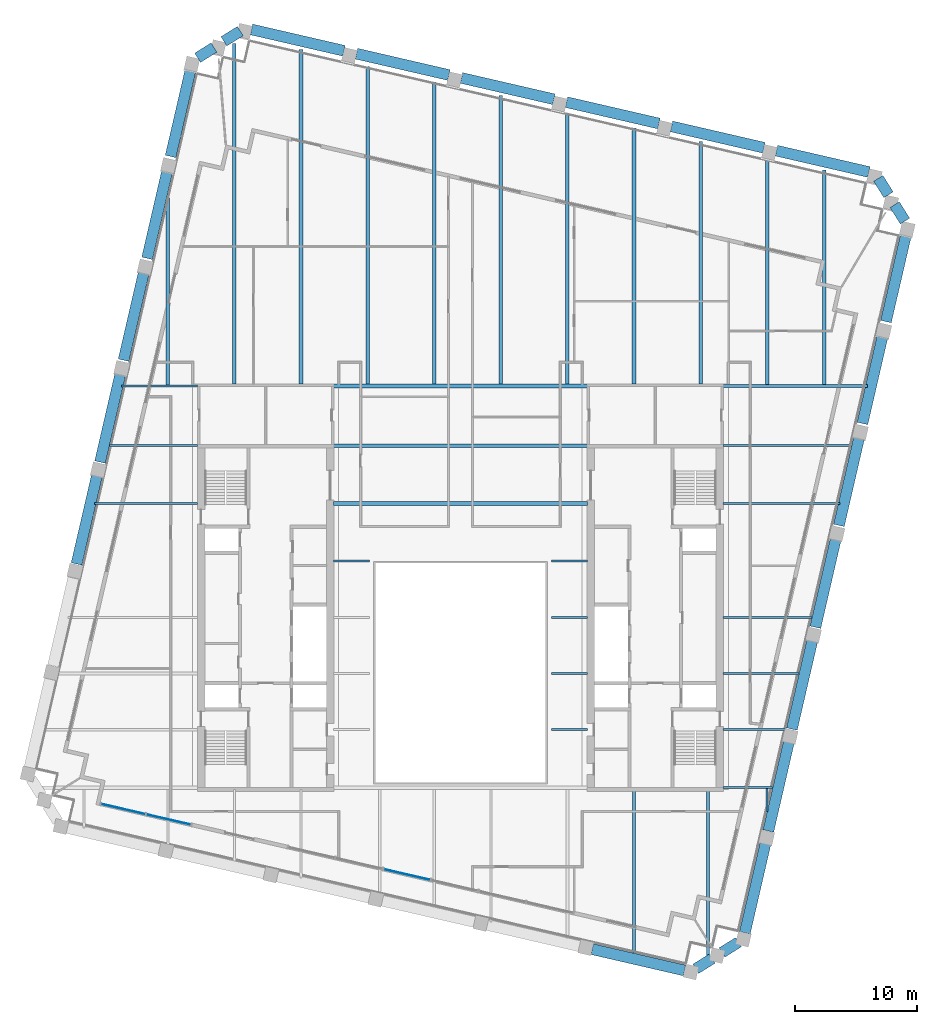
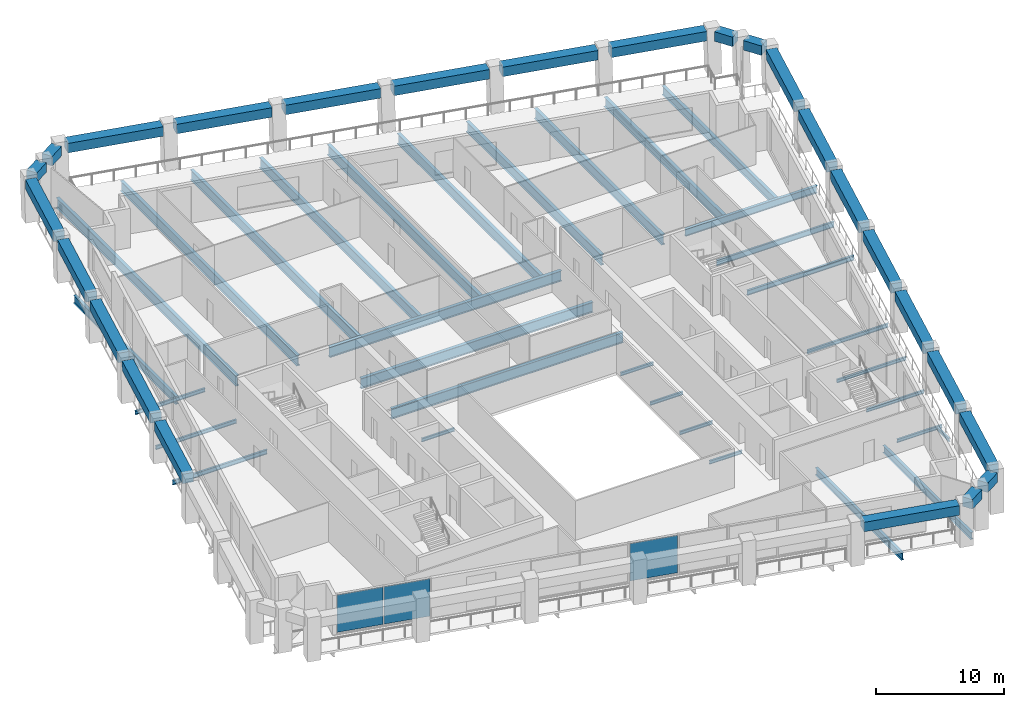
# One storey, part 3 of 11: 57 beams, 3 plates, 2 elements without a shape of their own.
"""IFC4 building model written with IfcOpenShell, lengths in metres."""

from ifc_helpers import new_model, si_unit, direction, frame, origin, origin_2d, place, context, subcontext, project, spatial, rectangle, i_section, extrude, material, layer, layer_set, material_profile, profile_set, type_object, element, aggregate, save


model = new_model("IFC4")

# Units and contexts
model_context = context("Model", 3, precision=1e-05, world=origin(), true_north=direction((0.0, 1.0)))
body_context = subcontext(model_context, "Body", "Model", "MODEL_VIEW")
ifc_project = project(units=[si_unit("LENGTHUNIT", "METRE"), si_unit("AREAUNIT", "SQUARE_METRE"), si_unit("VOLUMEUNIT", "CUBIC_METRE"), si_unit("PLANEANGLEUNIT", "RADIAN"), si_unit("MASSUNIT", "GRAM", prefix="KILO")], contexts=[model_context])

# Site, building, storey
site_placement = place(None, origin())
site = spatial("IfcSite", under=ifc_project, at=site_placement, CompositionType="ELEMENT")
building_placement = place(site_placement, origin())
building = spatial("IfcBuilding", under=site, at=building_placement, Name="Ogive Exchange Tower", CompositionType="ELEMENT")
storey_placement = place(building_placement, frame((0.0, 0.0, 293.39990234375)))
storey = spatial("IfcBuildingStorey", under=building, at=storey_placement, Name="L64", CompositionType="ELEMENT", Elevation=293.39990234375)

# Beams
ifc_material_1 = material(Name="Steel ASTM A992 Gr50", Category="steel")
ifc_material_profile_1 = material_profile(ifc_material_1, i_section(OverallWidth=0.300048828125, OverallDepth=0.969970703125, WebThickness=0.01611328125, FlangeThickness=0.02099609375, at=origin_2d()), Name="W1000x222")
ifc_profile_set_1 = profile_set([ifc_material_profile_1], Name="Steel ASTM A992 Gr50")
beam_type_1 = type_object("IfcBeamType", Name="Floor beam W1000x222", PredefinedType="JOIST", material=ifc_profile_set_1)
beam_1_placement = place(storey_placement, frame((19.721923828125, 30.699951171875, -0.73486328125), z_axis=(0.0, 1.0, 0.0), x_axis=(-1.0, 0.0, 0.0)))
element("IfcBeam", 1, at=beam_1_placement, inside=storey, type_object=beam_type_1, Name="Floor beam", PredefinedType="JOIST", context=body_context, shape_type="SweptSolid", body=[
    extrude(i_section(OverallWidth=0.300048828125, OverallDepth=0.969970703125, WebThickness=0.01611328125, FlangeThickness=0.02099609375, at=origin_2d()), origin(), (0.0, 0.0, 1.0), 19.909912109375),
])
ifc_material_profile_2 = material_profile(ifc_material_1, i_section(OverallWidth=0.300048828125, OverallDepth=0.97998046875, WebThickness=0.0166015625, FlangeThickness=0.026123046875, at=origin_2d()), Name="W1000x249")
ifc_profile_set_2 = profile_set([ifc_material_profile_2], Name="Steel ASTM A992 Gr50")
beam_type_2 = type_object("IfcBeamType", Name="Floor beam W1000x249", PredefinedType="JOIST", material=ifc_profile_set_2)
for number, where, z_axis, x_axis, name in (
    (2, (-10.419921875, 20.89990234375, -0.739990234375), (1.0, 0.0, 0.0), (0.0, 1.0, 0.0), "Floor beam"),
    (3, (-10.419921875, 25.64501953125, -0.739990234375), (1.0, 0.0, 0.0), (0.0, 1.0, 0.0), "Floor beam"),
):
    element("IfcBeam", number, at=place(storey_placement, frame(where, z_axis=z_axis, x_axis=x_axis)), inside=storey, type_object=beam_type_2, Name=name, PredefinedType="JOIST", context=body_context, shape_type="SweptSolid", body=[
        extrude(i_section(OverallWidth=0.300048828125, OverallDepth=0.97998046875, WebThickness=0.0166015625, FlangeThickness=0.026123046875, at=origin_2d()), origin(), (0.0, 0.0, 1.0), 20.83984375),
    ])
beam_2_placement = place(storey_placement, frame((-18.568603515625, 30.699951171875, -0.739990234375), z_axis=(0.0, 1.0, 0.0), x_axis=(-1.0, 0.0, 0.0)))
element("IfcBeam", 4, at=beam_2_placement, inside=storey, type_object=beam_type_2, Name="Floor beam", PredefinedType="JOIST", context=body_context, shape_type="SweptSolid", body=[
    extrude(i_section(OverallWidth=0.300048828125, OverallDepth=0.97998046875, WebThickness=0.0166015625, FlangeThickness=0.026123046875, at=origin_2d()), origin(), (0.0, 0.0, 1.0), 27.99365234375),
])
beam_3_placement = place(storey_placement, frame((-13.098388671875, 30.699951171875, -0.739990234375), z_axis=(0.0, 1.0, 0.0), x_axis=(-1.0, 0.0, 0.0)))
element("IfcBeam", 5, at=beam_3_placement, inside=storey, type_object=beam_type_2, Name="Floor beam", PredefinedType="JOIST", context=body_context, shape_type="SweptSolid", body=[
    extrude(i_section(OverallWidth=0.300048828125, OverallDepth=0.97998046875, WebThickness=0.0166015625, FlangeThickness=0.026123046875, at=origin_2d()), origin(), (0.0, 0.0, 1.0), 27.487060546875),
])
beam_4_placement = place(storey_placement, frame((-7.62841796875, 30.695068359375, -0.739990234375), z_axis=(0.0, 1.0, 0.0), x_axis=(-1.0, 0.0, 0.0)))
element("IfcBeam", 6, at=beam_4_placement, inside=storey, type_object=beam_type_2, Name="Floor beam", PredefinedType="JOIST", context=body_context, shape_type="SweptSolid", body=[
    extrude(i_section(OverallWidth=0.300048828125, OverallDepth=0.97998046875, WebThickness=0.0166015625, FlangeThickness=0.026123046875, at=origin_2d()), origin(), (0.0, 0.0, 1.0), 26.079345703125),
])
beam_5_placement = place(storey_placement, frame((-2.158203125, 30.695068359375, -0.739990234375), z_axis=(0.0, 1.0, 0.0), x_axis=(-1.0, 0.0, 0.0)))
element("IfcBeam", 7, at=beam_5_placement, inside=storey, type_object=beam_type_2, Name="Floor beam", PredefinedType="JOIST", context=body_context, shape_type="SweptSolid", body=[
    extrude(i_section(OverallWidth=0.300048828125, OverallDepth=0.97998046875, WebThickness=0.0166015625, FlangeThickness=0.026123046875, at=origin_2d()), origin(), (0.0, 0.0, 1.0), 24.81640625),
])
beam_6_placement = place(storey_placement, frame((3.311767578125, 30.695068359375, -0.739990234375), z_axis=(0.0, 1.0, 0.0), x_axis=(-1.0, 0.0, 0.0)))
element("IfcBeam", 8, at=beam_6_placement, inside=storey, type_object=beam_type_2, Name="Floor beam", PredefinedType="JOIST", context=body_context, shape_type="SweptSolid", body=[
    extrude(i_section(OverallWidth=0.300048828125, OverallDepth=0.97998046875, WebThickness=0.0166015625, FlangeThickness=0.026123046875, at=origin_2d()), origin(), (0.0, 0.0, 1.0), 23.703369140625),
])
beam_7_placement = place(storey_placement, frame((8.78173828125, 30.695068359375, -0.739990234375), z_axis=(0.0, 1.0, 0.0), x_axis=(-1.0, 0.0, 0.0)))
element("IfcBeam", 9, at=beam_7_placement, inside=storey, type_object=beam_type_2, Name="Floor beam", PredefinedType="JOIST", context=body_context, shape_type="SweptSolid", body=[
    extrude(i_section(OverallWidth=0.300048828125, OverallDepth=0.97998046875, WebThickness=0.0166015625, FlangeThickness=0.026123046875, at=origin_2d()), origin(), (0.0, 0.0, 1.0), 22.29052734375),
])
beam_8_placement = place(storey_placement, frame((14.251953125, 30.699951171875, -0.739990234375), z_axis=(0.0, 1.0, 0.0), x_axis=(-1.0, 0.0, 0.0)))
element("IfcBeam", 10, at=beam_8_placement, inside=storey, type_object=beam_type_2, Name="Floor beam", PredefinedType="JOIST", context=body_context, shape_type="SweptSolid", body=[
    extrude(i_section(OverallWidth=0.300048828125, OverallDepth=0.97998046875, WebThickness=0.0166015625, FlangeThickness=0.026123046875, at=origin_2d()), origin(), (0.0, 0.0, 1.0), 21.02294921875),
])
ifc_material_profile_3 = material_profile(ifc_material_1, i_section(OverallWidth=0.1650390625, OverallDepth=0.31005859375, WebThickness=0.005859375, FlangeThickness=0.009765625, at=origin_2d()), Name="W310x38.7")
ifc_profile_set_3 = profile_set([ifc_material_profile_3], Name="Steel ASTM A992 Gr50")
beam_type_3 = type_object("IfcBeamType", Name="Floor beam W310x38.7", PredefinedType="JOIST", material=ifc_profile_set_3)
beam_9_placement = place(storey_placement, frame((7.469970703125, 2.3212890625, -0.40478515625), z_axis=(1.0, 0.0, 0.0), x_axis=(0.0, 1.0, 0.0)))
element("IfcBeam", 11, at=beam_9_placement, inside=storey, type_object=beam_type_3, Name="Floor beam", PredefinedType="JOIST", context=body_context, shape_type="SweptSolid", body=[
    extrude(i_section(OverallWidth=0.1650390625, OverallDepth=0.31005859375, WebThickness=0.005859375, FlangeThickness=0.009765625, at=origin_2d()), origin(), (0.0, 0.0, 1.0), 2.949951171875),
])
beam_10_placement = place(storey_placement, frame((21.580078125, 2.3212890625, -0.40478515625), z_axis=(1.0, 0.0, 0.0), x_axis=(0.0, 1.0, 0.0)))
element("IfcBeam", 12, at=beam_10_placement, inside=storey, type_object=beam_type_3, Name="Floor beam", PredefinedType="JOIST", context=body_context, shape_type="SweptSolid", body=[
    extrude(i_section(OverallWidth=0.1650390625, OverallDepth=0.31005859375, WebThickness=0.005859375, FlangeThickness=0.009765625, at=origin_2d()), origin(), (0.0, 0.0, 1.0), 5.166015625),
])
beam_11_placement = place(storey_placement, frame((7.469970703125, 6.9326171875, -0.40478515625), z_axis=(1.0, 0.0, 0.0), x_axis=(0.0, 1.0, 0.0)))
element("IfcBeam", 13, at=beam_11_placement, inside=storey, type_object=beam_type_3, Name="Floor beam", PredefinedType="JOIST", context=body_context, shape_type="SweptSolid", body=[
    extrude(i_section(OverallWidth=0.1650390625, OverallDepth=0.31005859375, WebThickness=0.005859375, FlangeThickness=0.009765625, at=origin_2d()), origin(), (0.0, 0.0, 1.0), 2.949951171875),
])
beam_12_placement = place(storey_placement, frame((21.580078125, 6.9326171875, -0.40478515625), z_axis=(1.0, 0.0, 0.0), x_axis=(0.0, 1.0, 0.0)))
element("IfcBeam", 14, at=beam_12_placement, inside=storey, type_object=beam_type_3, Name="Floor beam", PredefinedType="JOIST", context=body_context, shape_type="SweptSolid", body=[
    extrude(i_section(OverallWidth=0.1650390625, OverallDepth=0.31005859375, WebThickness=0.005859375, FlangeThickness=0.009765625, at=origin_2d()), origin(), (0.0, 0.0, 1.0), 6.230712890625),
])
beam_13_placement = place(storey_placement, frame((7.469970703125, 11.543701171875, -0.40478515625), z_axis=(1.0, 0.0, 0.0), x_axis=(0.0, 1.0, 0.0)))
element("IfcBeam", 15, at=beam_13_placement, inside=storey, type_object=beam_type_3, Name="Floor beam", PredefinedType="JOIST", context=body_context, shape_type="SweptSolid", body=[
    extrude(i_section(OverallWidth=0.1650390625, OverallDepth=0.31005859375, WebThickness=0.005859375, FlangeThickness=0.009765625, at=origin_2d()), origin(), (0.0, 0.0, 1.0), 2.949951171875),
])
beam_14_placement = place(storey_placement, frame((25.19189453125, -4.410400390625, -0.40478515625), z_axis=(0.0, 1.0, 0.0), x_axis=(-1.0, 0.0, 0.0)))
element("IfcBeam", 16, at=beam_14_placement, inside=storey, type_object=beam_type_3, Name="Floor beam", PredefinedType="JOIST", context=body_context, shape_type="SweptSolid", body=[
    extrude(i_section(OverallWidth=0.1650390625, OverallDepth=0.31005859375, WebThickness=0.005859375, FlangeThickness=0.009765625, at=origin_2d()), origin(), (0.0, 0.0, 1.0), 1.8828125),
])
ifc_material_profile_4 = material_profile(ifc_material_1, i_section(OverallWidth=0.1708984375, OverallDepth=0.35595703125, WebThickness=0.00732421875, FlangeThickness=0.01171875, at=origin_2d()), Name="W360x51")
ifc_profile_set_4 = profile_set([ifc_material_profile_4], Name="Steel ASTM A992 Gr50")
beam_type_4 = type_object("IfcBeamType", Name="Floor beam W360x51", PredefinedType="JOIST", material=ifc_profile_set_4)
beam_15_placement = place(storey_placement, frame((21.580078125, 11.543701171875, -0.427978515625), z_axis=(1.0, 0.0, 0.0), x_axis=(0.0, 1.0, 0.0)))
element("IfcBeam", 17, at=beam_15_placement, inside=storey, type_object=beam_type_4, Name="Floor beam", PredefinedType="JOIST", context=body_context, shape_type="SweptSolid", body=[
    extrude(i_section(OverallWidth=0.1708984375, OverallDepth=0.35595703125, WebThickness=0.00732421875, FlangeThickness=0.01171875, at=origin_2d()), origin(), (0.0, 0.0, 1.0), 7.295166015625),
])
beam_16_placement = place(storey_placement, frame((-28.831787109375, 25.64501953125, -0.427978515625), z_axis=(1.0, 0.0, 0.0), x_axis=(0.0, 1.0, 0.0)))
element("IfcBeam", 18, at=beam_16_placement, inside=storey, type_object=beam_type_4, Name="Floor beam", PredefinedType="JOIST", context=body_context, shape_type="SweptSolid", body=[
    extrude(i_section(OverallWidth=0.1708984375, OverallDepth=0.35595703125, WebThickness=0.00732421875, FlangeThickness=0.01171875, at=origin_2d()), origin(), (0.0, 0.0, 1.0), 7.251708984375),
])
ifc_material_profile_5 = material_profile(ifc_material_1, i_section(OverallWidth=0.177978515625, OverallDepth=0.406005859375, WebThickness=0.0078125, FlangeThickness=0.0126953125, at=origin_2d()), Name="W410x60")
ifc_profile_set_5 = profile_set([ifc_material_profile_5], Name="Steel ASTM A992 Gr50")
beam_type_5 = type_object("IfcBeamType", Name="Floor beam W410x60", PredefinedType="JOIST", material=ifc_profile_set_5)
beam_17_placement = place(storey_placement, frame((-30.0771484375, 20.89990234375, -0.452880859375), z_axis=(1.0, 0.0, 0.0), x_axis=(0.0, 1.0, 0.0)))
element("IfcBeam", 19, at=beam_17_placement, inside=storey, type_object=beam_type_5, Name="Floor beam", PredefinedType="JOIST", context=body_context, shape_type="SweptSolid", body=[
    extrude(i_section(OverallWidth=0.177978515625, OverallDepth=0.406005859375, WebThickness=0.0078125, FlangeThickness=0.0126953125, at=origin_2d()), origin(), (0.0, 0.0, 1.0), 8.4970703125),
])
ifc_material_profile_6 = material_profile(ifc_material_1, i_section(OverallWidth=0.19189453125, OverallDepth=0.4619140625, WebThickness=0.010498046875, FlangeThickness=0.017578125, at=origin_2d()), Name="W460x89")
ifc_profile_set_6 = profile_set([ifc_material_profile_6], Name="Steel ASTM A992 Gr50")
beam_type_6 = type_object("IfcBeamType", Name="Floor beam W460x89", PredefinedType="JOIST", material=ifc_profile_set_6)
beam_18_placement = place(storey_placement, frame((21.580078125, 20.89990234375, -0.48095703125), z_axis=(1.0, 0.0, 0.0), x_axis=(0.0, 1.0, 0.0)))
element("IfcBeam", 20, at=beam_18_placement, inside=storey, type_object=beam_type_6, Name="Floor beam", PredefinedType="JOIST", context=body_context, shape_type="SweptSolid", body=[
    extrude(i_section(OverallWidth=0.19189453125, OverallDepth=0.4619140625, WebThickness=0.010498046875, FlangeThickness=0.017578125, at=origin_2d()), origin(), (0.0, 0.0, 1.0), 9.605224609375),
])
ifc_material_profile_7 = material_profile(ifc_material_1, i_section(OverallWidth=0.1669921875, OverallDepth=0.535888671875, WebThickness=0.01025390625, FlangeThickness=0.0166015625, at=origin_2d()), Name="W530x85")
ifc_profile_set_7 = profile_set([ifc_material_profile_7], Name="Steel ASTM A992 Gr50")
beam_type_7 = type_object("IfcBeamType", Name="Floor beam W530x85", PredefinedType="JOIST", material=ifc_profile_set_7)
beam_19_placement = place(storey_placement, frame((21.580078125, 25.64501953125, -0.517822265625), z_axis=(1.0, 0.0, 0.0), x_axis=(0.0, 1.0, 0.0)))
element("IfcBeam", 21, at=beam_19_placement, inside=storey, type_object=beam_type_7, Name="Floor beam", PredefinedType="JOIST", context=body_context, shape_type="SweptSolid", body=[
    extrude(i_section(OverallWidth=0.1669921875, OverallDepth=0.535888671875, WebThickness=0.01025390625, FlangeThickness=0.0166015625, at=origin_2d()), origin(), (0.0, 0.0, 1.0), 10.55078125),
])
ifc_material_profile_8 = material_profile(ifc_material_1, i_section(OverallWidth=0.25390625, OverallDepth=0.677978515625, WebThickness=0.01171875, FlangeThickness=0.016357421875, at=origin_2d()), Name="W690x125")
ifc_profile_set_8 = profile_set([ifc_material_profile_8], Name="Steel ASTM A992 Gr50")
beam_type_8 = type_object("IfcBeamType", Name="Floor beam W690x125", PredefinedType="JOIST", material=ifc_profile_set_8)
beam_20_placement = place(storey_placement, frame((14.251953125, -16.041259765625, -0.5888671875), z_axis=(0.0, 1.0, 0.0), x_axis=(-1.0, 0.0, 0.0)))
element("IfcBeam", 22, at=beam_20_placement, inside=storey, type_object=beam_type_8, Name="Floor beam", PredefinedType="JOIST", context=body_context, shape_type="SweptSolid", body=[
    extrude(i_section(OverallWidth=0.25390625, OverallDepth=0.677978515625, WebThickness=0.01171875, FlangeThickness=0.016357421875, at=origin_2d()), origin(), (0.0, 0.0, 1.0), 13.441162109375),
])
beam_21_placement = place(storey_placement, frame((20.322021484375, -16.322998046875, -0.5888671875), z_axis=(0.0, 1.0, 0.0), x_axis=(-1.0, 0.0, 0.0)))
element("IfcBeam", 23, at=beam_21_placement, inside=storey, type_object=beam_type_8, Name="Floor beam", PredefinedType="JOIST", context=body_context, shape_type="SweptSolid", body=[
    extrude(i_section(OverallWidth=0.25390625, OverallDepth=0.677978515625, WebThickness=0.01171875, FlangeThickness=0.016357421875, at=origin_2d()), origin(), (0.0, 0.0, 1.0), 13.722900390625),
])
ifc_material_profile_9 = material_profile(ifc_material_1, i_section(OverallWidth=0.26708984375, OverallDepth=0.761962890625, WebThickness=0.014404296875, FlangeThickness=0.021484375, at=origin_2d()), Name="W760x173")
ifc_profile_set_9 = profile_set([ifc_material_profile_9], Name="Steel ASTM A992 Gr50")
beam_type_9 = type_object("IfcBeamType", Name="Floor beam W760x173", PredefinedType="JOIST", material=ifc_profile_set_9)
beam_22_placement = place(storey_placement, frame((-24.03857421875, 30.630615234375, -0.630859375), z_axis=(0.0, 1.0, 0.0), x_axis=(-1.0, 0.0, 0.0)))
element("IfcBeam", 24, at=beam_22_placement, inside=storey, type_object=beam_type_9, Name="Floor beam", PredefinedType="JOIST", context=body_context, shape_type="SweptSolid", body=[
    extrude(i_section(OverallWidth=0.26708984375, OverallDepth=0.761962890625, WebThickness=0.014404296875, FlangeThickness=0.021484375, at=origin_2d()), origin(), (0.0, 0.0, 1.0), 15.925537109375),
])
ifc_material_profile_10 = material_profile(ifc_material_1, i_section(OverallWidth=0.2919921875, OverallDepth=0.845947265625, WebThickness=0.015380859375, FlangeThickness=0.0244140625, at=origin_2d()), Name="W840x210")
ifc_profile_set_10 = profile_set([ifc_material_profile_10], Name="Steel ASTM A992 Gr50")
beam_type_10 = type_object("IfcBeamType", Name="Floor beam W840x210", PredefinedType="JOIST", material=ifc_profile_set_10)
beam_23_placement = place(storey_placement, frame((29.862060546875, 30.672119140625, -0.6728515625), z_axis=(0.0, 1.0, 0.0), x_axis=(-1.0, 0.0, 0.0)))
element("IfcBeam", 25, at=beam_23_placement, inside=storey, type_object=beam_type_10, Name="Floor beam", PredefinedType="JOIST", context=body_context, shape_type="SweptSolid", body=[
    extrude(i_section(OverallWidth=0.2919921875, OverallDepth=0.845947265625, WebThickness=0.015380859375, FlangeThickness=0.0244140625, at=origin_2d()), origin(), (0.0, 0.0, 1.0), 17.5966796875),
])
ifc_material_profile_11 = material_profile(ifc_material_1, i_section(OverallWidth=0.304931640625, OverallDepth=0.904052734375, WebThickness=0.01513671875, FlangeThickness=0.02001953125, at=origin_2d()), Name="W920x201")
ifc_profile_set_11 = profile_set([ifc_material_profile_11], Name="Steel ASTM A992 Gr50")
beam_type_11 = type_object("IfcBeamType", Name="Floor beam W920x201", PredefinedType="JOIST", material=ifc_profile_set_11)
beam_24_placement = place(storey_placement, frame((25.19189453125, 30.672119140625, -0.701904296875), z_axis=(0.0, 1.0, 0.0), x_axis=(-1.0, 0.0, 0.0)))
element("IfcBeam", 26, at=beam_24_placement, inside=storey, type_object=beam_type_11, Name="Floor beam", PredefinedType="JOIST", context=body_context, shape_type="SweptSolid", body=[
    extrude(i_section(OverallWidth=0.304931640625, OverallDepth=0.904052734375, WebThickness=0.01513671875, FlangeThickness=0.02001953125, at=origin_2d()), origin(), (0.0, 0.0, 1.0), 18.52490234375),
])
ifc_material_profile_12 = material_profile(ifc_material_1, i_section(OverallWidth=0.300048828125, OverallDepth=0.97998046875, WebThickness=0.0166015625, FlangeThickness=0.026123046875, at=origin_2d()), Name="W1000x249")
ifc_profile_set_12 = profile_set([ifc_material_profile_12], Name="Steel ASTM A992 Gr50")
beam_type_12 = type_object("IfcBeamType", Name="Girder W1000x249", PredefinedType="BEAM", material=ifc_profile_set_12)
beam_25_placement = place(storey_placement, frame((-10.419921875, 30.544921875, -0.739990234375), z_axis=(1.0, 0.0, 0.0), x_axis=(0.0, 1.0, 0.0)))
element("IfcBeam", 27, at=beam_25_placement, inside=storey, type_object=beam_type_12, Name="Header girder", PredefinedType="BEAM", context=body_context, shape_type="SweptSolid", body=[
    extrude(i_section(OverallWidth=0.300048828125, OverallDepth=0.97998046875, WebThickness=0.0166015625, FlangeThickness=0.026123046875, at=origin_2d()), origin(), (0.0, 0.0, 1.0), 20.83984375),
])
ifc_material_profile_13 = material_profile(ifc_material_1, i_section(OverallWidth=0.1650390625, OverallDepth=0.31005859375, WebThickness=0.005859375, FlangeThickness=0.009765625, at=origin_2d()), Name="W310x38.7")
ifc_profile_set_13 = profile_set([ifc_material_profile_13], Name="Steel ASTM A992 Gr50")
beam_type_13 = type_object("IfcBeamType", Name="Girder W310x38.7", PredefinedType="BEAM", material=ifc_profile_set_13)
beam_26_placement = place(storey_placement, frame((21.580078125, -2.445068359375, -0.40478515625), z_axis=(1.0, 0.0, 0.0), x_axis=(0.0, 1.0, 0.0)))
element("IfcBeam", 28, at=beam_26_placement, inside=storey, type_object=beam_type_13, Name="Header girder", PredefinedType="BEAM", context=body_context, shape_type="SweptSolid", body=[
    extrude(i_section(OverallWidth=0.1650390625, OverallDepth=0.31005859375, WebThickness=0.005859375, FlangeThickness=0.009765625, at=origin_2d()), origin(), (0.0, 0.0, 1.0), 4.065673828125),
])
for number, where, z_axis, x_axis, name in (
    (29, (-10.419921875, 16.155029296875, -0.40478515625), (1.0, 0.0, 0.0), (0.0, 1.0, 0.0), "Trimmer girder"),
    (30, (7.469970703125, 16.155029296875, -0.40478515625), (1.0, 0.0, 0.0), (0.0, 1.0, 0.0), "Trimmer girder"),
):
    element("IfcBeam", number, at=place(storey_placement, frame(where, z_axis=z_axis, x_axis=x_axis)), inside=storey, type_object=beam_type_13, Name=name, PredefinedType="BEAM", context=body_context, shape_type="SweptSolid", body=[
        extrude(i_section(OverallWidth=0.1650390625, OverallDepth=0.31005859375, WebThickness=0.005859375, FlangeThickness=0.009765625, at=origin_2d()), origin(), (0.0, 0.0, 1.0), 2.949951171875),
    ])
ifc_material_profile_14 = material_profile(ifc_material_1, i_section(OverallWidth=0.1708984375, OverallDepth=0.35595703125, WebThickness=0.00732421875, FlangeThickness=0.01171875, at=origin_2d()), Name="W360x51")
ifc_profile_set_14 = profile_set([ifc_material_profile_14], Name="Steel ASTM A992 Gr50")
beam_type_14 = type_object("IfcBeamType", Name="Girder W360x51", PredefinedType="BEAM", material=ifc_profile_set_14)
beam_27_placement = place(storey_placement, frame((-27.850341796875, 30.544921875, -0.427978515625), z_axis=(1.0, 0.0, 0.0), x_axis=(0.0, 1.0, 0.0)))
element("IfcBeam", 31, at=beam_27_placement, inside=storey, type_object=beam_type_14, Name="Header girder", PredefinedType="BEAM", context=body_context, shape_type="SweptSolid", body=[
    extrude(i_section(OverallWidth=0.1708984375, OverallDepth=0.35595703125, WebThickness=0.00732421875, FlangeThickness=0.01171875, at=origin_2d()), origin(), (0.0, 0.0, 1.0), 6.270263671875),
])
ifc_material_profile_15 = material_profile(ifc_material_1, i_section(OverallWidth=0.25390625, OverallDepth=0.677978515625, WebThickness=0.01171875, FlangeThickness=0.016357421875, at=origin_2d()), Name="W690x125")
ifc_profile_set_15 = profile_set([ifc_material_profile_15], Name="Steel ASTM A992 Gr50")
beam_type_15 = type_object("IfcBeamType", Name="Girder W690x125", PredefinedType="BEAM", material=ifc_profile_set_15)
beam_28_placement = place(storey_placement, frame((21.580078125, 30.544921875, -0.5888671875), z_axis=(1.0, 0.0, 0.0), x_axis=(0.0, 1.0, 0.0)))
element("IfcBeam", 32, at=beam_28_placement, inside=storey, type_object=beam_type_15, Name="Header girder", PredefinedType="BEAM", context=body_context, shape_type="SweptSolid", body=[
    extrude(i_section(OverallWidth=0.25390625, OverallDepth=0.677978515625, WebThickness=0.01171875, FlangeThickness=0.016357421875, at=origin_2d()), origin(), (0.0, 0.0, 1.0), 11.83203125),
])
ifc_material_2 = material(Name="Precast concrete C70/85 (limestone faced)", Category="masonry")
ifc_material_profile_16 = material_profile(ifc_material_2, rectangle(XDim=0.89990234375, YDim=0.89990234375, at=origin_2d()), Name="900 x 900")
ifc_profile_set_16 = profile_set([ifc_material_profile_16], Name="Precast concrete C70/85 (limestone faced)")
beam_type_16 = type_object("IfcBeamType", Name="Precast spandrel 900 x 900 C70/85", PredefinedType="SPANDREL", material=ifc_profile_set_16)
beam_29_placement = place(storey_placement, frame((10.811767578125, -15.708984375, 3.5), z_axis=(0.974374818602, -0.224930462307, 0.0), x_axis=(0.224930462307, 0.974374818602, 0.0)))
element("IfcBeam", 33, at=beam_29_placement, inside=storey, type_object=beam_type_16, Name="Spandrel 6", PredefinedType="SPANDREL", context=body_context, shape_type="SweptSolid", body=[
    extrude(rectangle(XDim=0.89990234375, YDim=0.89990234375, at=origin_2d()), origin(), (0.0, 0.0, 1.0), 7.7900390625),
])
for number, where, z_axis, x_axis, name in (
    (34, (19.32373046875, -17.327392578125, 3.5), (0.84798967817, 0.53001274109, 0.0), (-0.53001274109, 0.84798967817, 0.0), "Spandrel 7"),
    (35, (21.482421875, -15.978271484375, 3.5), (0.848058683477, 0.529902320601, 0.0), (-0.529902320601, 0.848058683477, 0.0), "Spandrel 8"),
):
    element("IfcBeam", number, at=place(storey_placement, frame(where, z_axis=z_axis, x_axis=x_axis)), inside=storey, type_object=beam_type_16, Name=name, PredefinedType="SPANDREL", context=body_context, shape_type="SweptSolid", body=[
        extrude(rectangle(XDim=0.89990234375, YDim=0.89990234375, at=origin_2d()), origin(), (0.0, 0.0, 1.0), 1.590087890625),
    ])
for number, where, z_axis, x_axis, name in (
    (36, (23.355224609375, -14.3662109375, 3.5), (0.224966102078, 0.97436659062, 0.0), (-0.97436659062, 0.224966102078, 0.0), "Spandrel 9"),
    (37, (25.287109375, -5.999267578125, 3.5), (0.224935308687, 0.974373699823, 0.0), (-0.974373699823, 0.224935308687, 0.0), "Spandrel 10"),
    (38, (27.218505859375, 2.36767578125, 3.5), (0.224966102078, 0.97436659062, 0.0), (-0.97436659062, 0.224966102078, 0.0), "Spandrel 11"),
):
    element("IfcBeam", number, at=place(storey_placement, frame(where, z_axis=z_axis, x_axis=x_axis)), inside=storey, type_object=beam_type_16, Name=name, PredefinedType="SPANDREL", context=body_context, shape_type="SweptSolid", body=[
        extrude(rectangle(XDim=0.89990234375, YDim=0.89990234375, at=origin_2d()), origin(), (0.0, 0.0, 1.0), 7.527099609375),
    ])
for number, where, z_axis, x_axis, name in (
    (39, (29.150390625, 10.734619140625, 3.5), (0.224942417674, 0.974372058677, 0.0), (-0.974372058677, 0.224942417674, 0.0), "Spandrel 12"),
    (40, (31.081787109375, 19.1015625, 3.5), (0.224973211935, 0.974364949037, 0.0), (-0.974364949037, 0.224973211935, 0.0), "Spandrel 13"),
    (41, (33.013671875, 27.468505859375, 3.5), (0.224942417674, 0.974372058677, 0.0), (-0.974372058677, 0.224942417674, 0.0), "Spandrel 14"),
    (42, (34.9453125, 35.83544921875, 3.5), (0.224942417674, 0.974372058677, 0.0), (-0.974372058677, 0.224942417674, 0.0), "Spandrel 15"),
):
    element("IfcBeam", number, at=place(storey_placement, frame(where, z_axis=z_axis, x_axis=x_axis)), inside=storey, type_object=beam_type_16, Name=name, PredefinedType="SPANDREL", context=body_context, shape_type="SweptSolid", body=[
        extrude(rectangle(XDim=0.89990234375, YDim=0.89990234375, at=origin_2d()), origin(), (0.0, 0.0, 1.0), 7.52685546875),
    ])
for number, where, z_axis, x_axis, name in (
    (43, (36.50439453125, 44.091064453125, 3.5), (-0.529902320601, 0.848058683477, 0.0), (-0.848058683477, -0.529902320601, 0.0), "Spandrel 16"),
    (44, (35.155517578125, 46.25, 3.5), (-0.529902320601, 0.848058683477, 0.0), (-0.848058683477, -0.529902320601, 0.0), "Spandrel 17"),
):
    element("IfcBeam", number, at=place(storey_placement, frame(where, z_axis=z_axis, x_axis=x_axis)), inside=storey, type_object=beam_type_16, Name=name, PredefinedType="SPANDREL", context=body_context, shape_type="SweptSolid", body=[
        extrude(rectangle(XDim=0.89990234375, YDim=0.89990234375, at=origin_2d()), origin(), (0.0, 0.0, 1.0), 1.590087890625),
    ])
beam_30_placement = place(storey_placement, frame((33.54345703125, 48.122802734375, 3.5), z_axis=(-0.97437640416, 0.22492359373, 0.0), x_axis=(-0.22492359373, -0.97437640416, 0.0)))
element("IfcBeam", 45, at=beam_30_placement, inside=storey, type_object=beam_type_16, Name="Spandrel 18", PredefinedType="SPANDREL", context=body_context, shape_type="SweptSolid", body=[
    extrude(rectangle(XDim=0.89990234375, YDim=0.89990234375, at=origin_2d()), origin(), (0.0, 0.0, 1.0), 7.790283203125),
])
for number, where, z_axis, x_axis, name in (
    (46, (24.920166015625, 50.113525390625, 3.5), (-0.974367949416, 0.224960216819, 0.0), (-0.224960216819, -0.974367949416, 0.0), "Spandrel 19"),
    (47, (16.297119140625, 52.104248046875, 3.5), (-0.974367949416, 0.224960216819, 0.0), (-0.224960216819, -0.974367949416, 0.0), "Spandrel 20"),
    (48, (7.673828125, 54.09521484375, 3.5), (-0.974374818602, 0.224930462307, 0.0), (-0.224930462307, -0.974374818602, 0.0), "Spandrel 21"),
):
    element("IfcBeam", number, at=place(storey_placement, frame(where, z_axis=z_axis, x_axis=x_axis)), inside=storey, type_object=beam_type_16, Name=name, PredefinedType="SPANDREL", context=body_context, shape_type="SweptSolid", body=[
        extrude(rectangle(XDim=0.89990234375, YDim=0.89990234375, at=origin_2d()), origin(), (0.0, 0.0, 1.0), 7.7900390625),
    ])
beam_31_placement = place(storey_placement, frame((-0.94921875, 56.0859375, 3.5), z_axis=(-0.974369535382, 0.224953347431, 0.0), x_axis=(-0.224953347431, -0.974369535382, 0.0)))
element("IfcBeam", 49, at=beam_31_placement, inside=storey, type_object=beam_type_16, Name="Spandrel 22", PredefinedType="SPANDREL", context=body_context, shape_type="SweptSolid", body=[
    extrude(rectangle(XDim=0.89990234375, YDim=0.89990234375, at=origin_2d()), origin(), (0.0, 0.0, 1.0), 7.790283203125),
])
beam_32_placement = place(storey_placement, frame((-9.572509765625, 58.076904296875, 3.5), z_axis=(-0.974374818602, 0.224930462307, 0.0), x_axis=(-0.224930462307, -0.974374818602, 0.0)))
element("IfcBeam", 50, at=beam_32_placement, inside=storey, type_object=beam_type_16, Name="Spandrel 23", PredefinedType="SPANDREL", context=body_context, shape_type="SweptSolid", body=[
    extrude(rectangle(XDim=0.89990234375, YDim=0.89990234375, at=origin_2d()), origin(), (0.0, 0.0, 1.0), 7.7900390625),
])
beam_33_placement = place(storey_placement, frame((-18.08447265625, 59.6953125, 3.5), z_axis=(-0.84798967817, -0.53001274109, 0.0), x_axis=(0.53001274109, -0.84798967817, 0.0)))
element("IfcBeam", 51, at=beam_33_placement, inside=storey, type_object=beam_type_16, Name="Spandrel 24", PredefinedType="SPANDREL", context=body_context, shape_type="SweptSolid", body=[
    extrude(rectangle(XDim=0.89990234375, YDim=0.89990234375, at=origin_2d()), origin(), (0.0, 0.0, 1.0), 1.590087890625),
])
beam_34_placement = place(storey_placement, frame((-20.243408203125, 58.34619140625, 3.5), z_axis=(-0.848015558653, -0.529971331567, 0.0), x_axis=(0.529971331567, -0.848015558653, 0.0)))
element("IfcBeam", 52, at=beam_34_placement, inside=storey, type_object=beam_type_16, Name="Spandrel 25", PredefinedType="SPANDREL", context=body_context, shape_type="SweptSolid", body=[
    extrude(rectangle(XDim=0.89990234375, YDim=0.89990234375, at=origin_2d()), origin(), (0.0, 0.0, 1.0), 1.58984375),
])
for number, where, z_axis, x_axis, name in (
    (53, (-22.115966796875, 56.734130859375, 3.5), (-0.224966102078, -0.97436659062, 0.0), (0.97436659062, -0.224966102078, 0.0), "Spandrel 26"),
    (54, (-24.047607421875, 48.3671875, 3.5), (-0.224966102078, -0.97436659062, 0.0), (0.97436659062, -0.224966102078, 0.0), "Spandrel 27"),
    (55, (-25.9794921875, 40.000244140625, 3.5), (-0.224935308687, -0.974373699823, 0.0), (0.974373699823, -0.224935308687, 0.0), "Spandrel 28"),
):
    element("IfcBeam", number, at=place(storey_placement, frame(where, z_axis=z_axis, x_axis=x_axis)), inside=storey, type_object=beam_type_16, Name=name, PredefinedType="SPANDREL", context=body_context, shape_type="SweptSolid", body=[
        extrude(rectangle(XDim=0.89990234375, YDim=0.89990234375, at=origin_2d()), origin(), (0.0, 0.0, 1.0), 7.527099609375),
    ])
beam_35_placement = place(storey_placement, frame((-27.910888671875, 31.63330078125, 3.5), z_axis=(-0.224973211935, -0.974364949037, 0.0), x_axis=(0.974364949037, -0.224973211935, 0.0)))
element("IfcBeam", 56, at=beam_35_placement, inside=storey, type_object=beam_type_16, Name="Spandrel 29", PredefinedType="SPANDREL", context=body_context, shape_type="SweptSolid", body=[
    extrude(rectangle(XDim=0.89990234375, YDim=0.89990234375, at=origin_2d()), origin(), (0.0, 0.0, 1.0), 7.52685546875),
])
beam_36_placement = place(storey_placement, frame((-29.8427734375, 23.266357421875, 3.5), z_axis=(-0.224935308687, -0.974373699823, 0.0), x_axis=(0.974373699823, -0.224935308687, 0.0)))
element("IfcBeam", 57, at=beam_36_placement, inside=storey, type_object=beam_type_16, Name="Spandrel 30", PredefinedType="SPANDREL", context=body_context, shape_type="SweptSolid", body=[
    extrude(rectangle(XDim=0.89990234375, YDim=0.89990234375, at=origin_2d()), origin(), (0.0, 0.0, 1.0), 7.527099609375),
])

# Curtain wall, plates
ifc_material_3 = material(Name="Anodised aluminium and clear glass", Category="aluminium")
curtain_wall_type = type_object("IfcCurtainWallType", Name="Executive floor glazing", PredefinedType="NOTDEFINED", material=ifc_material_3)
curtain_wall_1_placement = place(storey_placement, origin())
curtain_wall_1 = element("IfcCurtainWall", 58, at=curtain_wall_1_placement, inside=storey, type_object=curtain_wall_type, Name="Executive floor glazing run G1", PredefinedType="NOTDEFINED")
ifc_material_4 = material(Name="Clear glass", Category="glass")
ifc_layer = layer(ifc_material_4, 0.048095703125)
ifc_layer_set = layer_set([ifc_layer], Name="Solar-control laminated glass panel 48")
plate_type = type_object("IfcPlateType", Name="Solar-control laminated glass panel 48", PredefinedType="CURTAIN_PANEL", material=ifc_layer_set)
plate_1_placement = place(storey_placement, frame((-27.703857421875, -4.19970703125, 0.10009765625), z_axis=(0.0, 0.0, 1.0), x_axis=(0.974369444232, -0.224953742238, 0.0)))
plate_1 = element("IfcPlate", 59, at=plate_1_placement, type_object=plate_type, Name="G1 panel 1.1", PredefinedType="CURTAIN_PANEL", context=body_context, shape_type="SweptSolid", body=[
    extrude(rectangle(XDim=3.72509765625, YDim=0.048095703125, at=origin_2d()), origin(), (0.0, 0.0, 1.0), 3.550048828125),
])
plate_2_placement = place(storey_placement, frame((-23.976806640625, -5.060302734375, 0.10009765625), z_axis=(0.0, 0.0, 1.0), x_axis=(0.974369444232, -0.224953742238, 0.0)))
plate_2 = element("IfcPlate", 60, at=plate_2_placement, type_object=plate_type, Name="G1 panel 2.1", PredefinedType="CURTAIN_PANEL", context=body_context, shape_type="SweptSolid", body=[
    extrude(rectangle(XDim=3.72509765625, YDim=0.048095703125, at=origin_2d()), origin(), (0.0, 0.0, 1.0), 3.550048828125),
])
aggregate(curtain_wall_1, [plate_1, plate_2])

# Curtain wall, plate
curtain_wall_2_placement = place(storey_placement, origin())
curtain_wall_2 = element("IfcCurtainWall", 61, at=curtain_wall_2_placement, inside=storey, type_object=curtain_wall_type, Name="Executive floor glazing run G4", PredefinedType="NOTDEFINED")
plate_3_placement = place(storey_placement, frame((-4.39208984375, -9.581787109375, 0.10009765625), z_axis=(0.0, 0.0, 1.0), x_axis=(0.974371721058, -0.224943880116, 0.0)))
plate_3 = element("IfcPlate", 62, at=plate_3_placement, type_object=plate_type, Name="G4 panel 1.1", PredefinedType="CURTAIN_PANEL", context=body_context, shape_type="SweptSolid", body=[
    extrude(rectangle(XDim=3.875, YDim=0.048095703125, at=origin_2d()), origin(), (0.0, 0.0, 1.0), 3.550048828125),
])
aggregate(curtain_wall_2, [plate_3])

save(model, "model.ifc")
